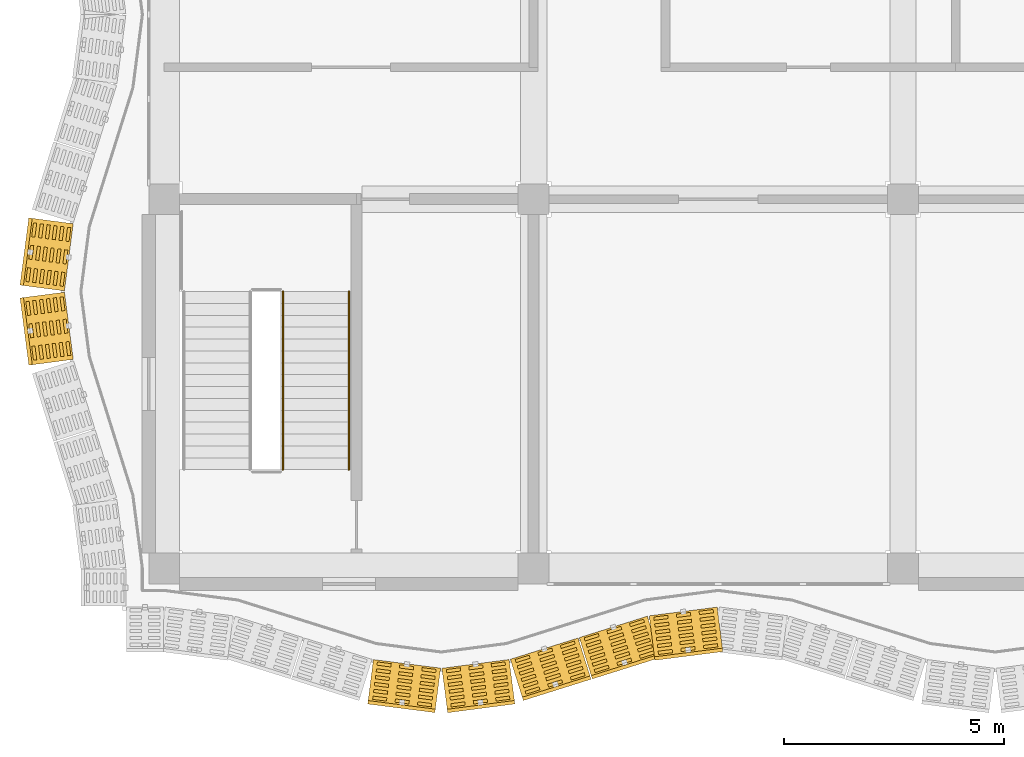
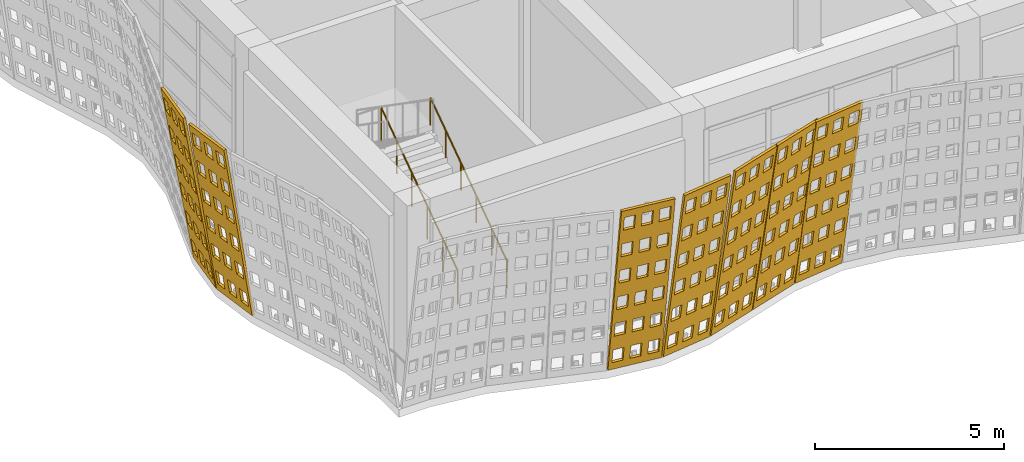
# One storey, part 149 of 210: 7 coverings, 2 railings.
"""IFC4 building model written with IfcOpenShell, lengths in metres."""

from ifc_helpers import new_model, si_unit, direction, frame, origin, origin_2d, place, context, subcontext, project, spatial, polyline, circle, outline, extrude, material, layer, layer_set, type_object, element, save


model = new_model("IFC4")

# Units and contexts
model_context = context("Model", 3, precision=1e-05, world=origin(), true_north=direction((0.0, 1.0)))
body_context = subcontext(model_context, "Body", "Model", "MODEL_VIEW")
ifc_project = project(units=[si_unit("LENGTHUNIT", "METRE"), si_unit("AREAUNIT", "SQUARE_METRE"), si_unit("VOLUMEUNIT", "CUBIC_METRE"), si_unit("PLANEANGLEUNIT", "RADIAN"), si_unit("MASSUNIT", "GRAM", prefix="KILO")], contexts=[model_context])

# Site, building, storey
site_placement = place(None, origin())
site = spatial("IfcSite", under=ifc_project, at=site_placement, CompositionType="ELEMENT")
building_placement = place(site_placement, origin())
building = spatial("IfcBuilding", under=site, at=building_placement, Name="Rain Tree Exposition and Congress Centre", CompositionType="ELEMENT")
storey_placement = place(building_placement, origin())
storey = spatial("IfcBuildingStorey", under=building, at=storey_placement, Name="L00", CompositionType="ELEMENT", Elevation=0.0)

# Coverings
ifc_material_1 = material(Name="Perforated terracotta", Category="masonry")
ifc_layer = layer(ifc_material_1, 0.080078125)
ifc_layer_set = layer_set([ifc_layer], Name="Perforated terracotta")
covering_type = type_object("IfcCoveringType", Name="Terracotta screen 80", PredefinedType="CLADDING", material=ifc_layer_set)
covering_1_placement = place(storey_placement, frame((4.72509765625, -2.14501953125, 0.0), z_axis=(0.125030801275, 0.978899688033, 0.161625182136), x_axis=(-0.991941518713, 0.126696580272, 0.0)))
element("IfcCovering", 1, at=covering_1_placement, inside=storey, type_object=covering_type, Name="wing/screen/L00/004", PredefinedType="CLADDING", context=body_context, shape_type="SweptSolid", body=[
    extrude(outline(polyline([(-1.56298828125, 0.0), (-1.56298828125, 5.813720703125), (-0.02197265625, 5.813720703125), (-0.02197265625, 0.0), (-1.56298828125, 0.0)]), holes=[polyline([(-0.11962890625, 0.25), (-0.11962890625, 0.718994140625), (-0.43798828125, 0.718994140625), (-0.43798828125, 0.25), (-0.11962890625, 0.25)]), polyline([(-0.11962890625, 1.218994140625), (-0.11962890625, 1.687744140625), (-0.43798828125, 1.687744140625), (-0.43798828125, 1.218994140625), (-0.11962890625, 1.218994140625)]), polyline([(-0.11962890625, 2.18798828125), (-0.11962890625, 2.65673828125), (-0.43798828125, 2.65673828125), (-0.43798828125, 2.18798828125), (-0.11962890625, 2.18798828125)]), polyline([(-0.11962890625, 3.15673828125), (-0.11962890625, 3.625732421875), (-0.43798828125, 3.625732421875), (-0.43798828125, 3.15673828125), (-0.11962890625, 3.15673828125)]), polyline([(-0.11962890625, 4.125732421875), (-0.11962890625, 4.594482421875), (-0.43798828125, 4.594482421875), (-0.43798828125, 4.125732421875), (-0.11962890625, 4.125732421875)]), polyline([(-0.11962890625, 5.0947265625), (-0.11962890625, 5.5634765625), (-0.43798828125, 5.5634765625), (-0.43798828125, 5.0947265625), (-0.11962890625, 5.0947265625)]), polyline([(-0.63330078125, 0.25), (-0.63330078125, 0.718994140625), (-0.95166015625, 0.718994140625), (-0.95166015625, 0.25), (-0.63330078125, 0.25)]), polyline([(-0.63330078125, 1.218994140625), (-0.63330078125, 1.687744140625), (-0.95166015625, 1.687744140625), (-0.95166015625, 1.218994140625), (-0.63330078125, 1.218994140625)]), polyline([(-0.63330078125, 2.18798828125), (-0.63330078125, 2.65673828125), (-0.95166015625, 2.65673828125), (-0.95166015625, 2.18798828125), (-0.63330078125, 2.18798828125)]), polyline([(-0.63330078125, 3.15673828125), (-0.63330078125, 3.625732421875), (-0.95166015625, 3.625732421875), (-0.95166015625, 3.15673828125), (-0.63330078125, 3.15673828125)]), polyline([(-0.63330078125, 4.125732421875), (-0.63330078125, 4.594482421875), (-0.95166015625, 4.594482421875), (-0.95166015625, 4.125732421875), (-0.63330078125, 4.125732421875)]), polyline([(-0.63330078125, 5.0947265625), (-0.63330078125, 5.5634765625), (-0.95166015625, 5.5634765625), (-0.95166015625, 5.0947265625), (-0.63330078125, 5.0947265625)]), polyline([(-1.146728515625, 0.25), (-1.146728515625, 0.718994140625), (-1.46533203125, 0.718994140625), (-1.46533203125, 0.25), (-1.146728515625, 0.25)]), polyline([(-1.146728515625, 1.218994140625), (-1.146728515625, 1.687744140625), (-1.46533203125, 1.687744140625), (-1.46533203125, 1.218994140625), (-1.146728515625, 1.218994140625)]), polyline([(-1.146728515625, 2.18798828125), (-1.146728515625, 2.65673828125), (-1.46533203125, 2.65673828125), (-1.46533203125, 2.18798828125), (-1.146728515625, 2.18798828125)]), polyline([(-1.146728515625, 3.15673828125), (-1.146728515625, 3.625732421875), (-1.46533203125, 3.625732421875), (-1.46533203125, 3.15673828125), (-1.146728515625, 3.15673828125)]), polyline([(-1.146728515625, 4.125732421875), (-1.146728515625, 4.594482421875), (-1.46533203125, 4.594482421875), (-1.46533203125, 4.125732421875), (-1.146728515625, 4.125732421875)]), polyline([(-1.146728515625, 5.0947265625), (-1.146728515625, 5.5634765625), (-1.46533203125, 5.5634765625), (-1.46533203125, 5.0947265625), (-1.146728515625, 5.0947265625)])]), origin(), (0.0, 0.0, 1.0), 0.080078125),
])
covering_2_placement = place(storey_placement, frame((6.300048828125, -2.35009765625, 0.0), z_axis=(-0.1280309309, 0.978522114732, 0.161562841373), x_axis=(-0.991548658387, -0.129735338481, 0.0)))
element("IfcCovering", 2, at=covering_2_placement, inside=storey, type_object=covering_type, Name="wing/screen/L00/005", PredefinedType="CLADDING", context=body_context, shape_type="SweptSolid", body=[
    extrude(outline(polyline([(-1.56640625, 0.0), (-1.56640625, 5.813720703125), (-0.025390625, 5.813720703125), (-0.025390625, 0.0), (-1.56640625, 0.0)]), holes=[polyline([(-0.123046875, 0.25), (-0.123046875, 0.718994140625), (-0.44140625, 0.718994140625), (-0.44140625, 0.25), (-0.123046875, 0.25)]), polyline([(-0.123046875, 1.218994140625), (-0.123046875, 1.687744140625), (-0.44140625, 1.687744140625), (-0.44140625, 1.218994140625), (-0.123046875, 1.218994140625)]), polyline([(-0.123046875, 2.18798828125), (-0.123046875, 2.65673828125), (-0.44140625, 2.65673828125), (-0.44140625, 2.18798828125), (-0.123046875, 2.18798828125)]), polyline([(-0.123046875, 3.15673828125), (-0.123046875, 3.625732421875), (-0.44140625, 3.625732421875), (-0.44140625, 3.15673828125), (-0.123046875, 3.15673828125)]), polyline([(-0.123046875, 4.125732421875), (-0.123046875, 4.594482421875), (-0.44140625, 4.594482421875), (-0.44140625, 4.125732421875), (-0.123046875, 4.125732421875)]), polyline([(-0.123046875, 5.0947265625), (-0.123046875, 5.5634765625), (-0.44140625, 5.5634765625), (-0.44140625, 5.0947265625), (-0.123046875, 5.0947265625)]), polyline([(-0.63671875, 0.25), (-0.63671875, 0.718994140625), (-0.955078125, 0.718994140625), (-0.955078125, 0.25), (-0.63671875, 0.25)]), polyline([(-0.63671875, 1.218994140625), (-0.63671875, 1.687744140625), (-0.955078125, 1.687744140625), (-0.955078125, 1.218994140625), (-0.63671875, 1.218994140625)]), polyline([(-0.63671875, 2.18798828125), (-0.63671875, 2.65673828125), (-0.955078125, 2.65673828125), (-0.955078125, 2.18798828125), (-0.63671875, 2.18798828125)]), polyline([(-0.63671875, 3.15673828125), (-0.63671875, 3.625732421875), (-0.955078125, 3.625732421875), (-0.955078125, 3.15673828125), (-0.63671875, 3.15673828125)]), polyline([(-0.63671875, 4.125732421875), (-0.63671875, 4.594482421875), (-0.955078125, 4.594482421875), (-0.955078125, 4.125732421875), (-0.63671875, 4.125732421875)]), polyline([(-0.63671875, 5.0947265625), (-0.63671875, 5.5634765625), (-0.955078125, 5.5634765625), (-0.955078125, 5.0947265625), (-0.63671875, 5.0947265625)]), polyline([(-1.150146484375, 0.25), (-1.150146484375, 0.718994140625), (-1.46875, 0.718994140625), (-1.46875, 0.25), (-1.150146484375, 0.25)]), polyline([(-1.150146484375, 1.218994140625), (-1.150146484375, 1.687744140625), (-1.46875, 1.687744140625), (-1.46875, 1.218994140625), (-1.150146484375, 1.218994140625)]), polyline([(-1.150146484375, 2.18798828125), (-1.150146484375, 2.65673828125), (-1.46875, 2.65673828125), (-1.46875, 2.18798828125), (-1.150146484375, 2.18798828125)]), polyline([(-1.150146484375, 3.15673828125), (-1.150146484375, 3.625732421875), (-1.46875, 3.625732421875), (-1.46875, 3.15673828125), (-1.150146484375, 3.15673828125)]), polyline([(-1.150146484375, 4.125732421875), (-1.150146484375, 4.594482421875), (-1.46875, 4.594482421875), (-1.46875, 4.125732421875), (-1.150146484375, 4.125732421875)]), polyline([(-1.150146484375, 5.0947265625), (-1.150146484375, 5.5634765625), (-1.46875, 5.5634765625), (-1.46875, 5.0947265625), (-1.150146484375, 5.0947265625)])]), origin(), (0.0, 0.0, 1.0), 0.080078125),
])
covering_3_placement = place(storey_placement, frame((7.875, -2.14501953125, 0.0), z_axis=(-0.295859611525, 0.942480618158, 0.155555053482), x_axis=(-0.954094597562, -0.29950542383, 0.0)))
element("IfcCovering", 3, at=covering_3_placement, inside=storey, type_object=covering_type, Name="wing/screen/L00/006", PredefinedType="CLADDING", context=body_context, shape_type="SweptSolid", body=[
    extrude(outline(polyline([(-1.635986328125, 0.0), (-1.635986328125, 5.808349609375), (-0.02197265625, 5.808349609375), (-0.02197265625, 0.0), (-1.635986328125, 0.0)]), holes=[polyline([(-0.124267578125, 0.249755859375), (-0.124267578125, 0.71826171875), (-0.457763671875, 0.71826171875), (-0.457763671875, 0.249755859375), (-0.124267578125, 0.249755859375)]), polyline([(-0.124267578125, 1.218017578125), (-0.124267578125, 1.686279296875), (-0.457763671875, 1.686279296875), (-0.457763671875, 1.218017578125), (-0.124267578125, 1.218017578125)]), polyline([(-0.124267578125, 2.18603515625), (-0.124267578125, 2.654296875), (-0.457763671875, 2.654296875), (-0.457763671875, 2.18603515625), (-0.124267578125, 2.18603515625)]), polyline([(-0.124267578125, 3.154052734375), (-0.124267578125, 3.62255859375), (-0.457763671875, 3.62255859375), (-0.457763671875, 3.154052734375), (-0.124267578125, 3.154052734375)]), polyline([(-0.124267578125, 4.1220703125), (-0.124267578125, 4.590576171875), (-0.457763671875, 4.590576171875), (-0.457763671875, 4.1220703125), (-0.124267578125, 4.1220703125)]), polyline([(-0.124267578125, 5.090087890625), (-0.124267578125, 5.55859375), (-0.457763671875, 5.55859375), (-0.457763671875, 5.090087890625), (-0.124267578125, 5.090087890625)]), polyline([(-0.662109375, 0.249755859375), (-0.662109375, 0.71826171875), (-0.995849609375, 0.71826171875), (-0.995849609375, 0.249755859375), (-0.662109375, 0.249755859375)]), polyline([(-0.662109375, 1.218017578125), (-0.662109375, 1.686279296875), (-0.995849609375, 1.686279296875), (-0.995849609375, 1.218017578125), (-0.662109375, 1.218017578125)]), polyline([(-0.662109375, 2.18603515625), (-0.662109375, 2.654296875), (-0.995849609375, 2.654296875), (-0.995849609375, 2.18603515625), (-0.662109375, 2.18603515625)]), polyline([(-0.662109375, 3.154052734375), (-0.662109375, 3.62255859375), (-0.995849609375, 3.62255859375), (-0.995849609375, 3.154052734375), (-0.662109375, 3.154052734375)]), polyline([(-0.662109375, 4.1220703125), (-0.662109375, 4.590576171875), (-0.995849609375, 4.590576171875), (-0.995849609375, 4.1220703125), (-0.662109375, 4.1220703125)]), polyline([(-0.662109375, 5.090087890625), (-0.662109375, 5.55859375), (-0.995849609375, 5.55859375), (-0.995849609375, 5.090087890625), (-0.662109375, 5.090087890625)]), polyline([(-1.2001953125, 0.249755859375), (-1.2001953125, 0.71826171875), (-1.53369140625, 0.71826171875), (-1.53369140625, 0.249755859375), (-1.2001953125, 0.249755859375)]), polyline([(-1.2001953125, 1.218017578125), (-1.2001953125, 1.686279296875), (-1.53369140625, 1.686279296875), (-1.53369140625, 1.218017578125), (-1.2001953125, 1.218017578125)]), polyline([(-1.2001953125, 2.18603515625), (-1.2001953125, 2.654296875), (-1.53369140625, 2.654296875), (-1.53369140625, 2.18603515625), (-1.2001953125, 2.18603515625)]), polyline([(-1.2001953125, 3.154052734375), (-1.2001953125, 3.62255859375), (-1.53369140625, 3.62255859375), (-1.53369140625, 3.154052734375), (-1.2001953125, 3.154052734375)]), polyline([(-1.2001953125, 4.1220703125), (-1.2001953125, 4.590576171875), (-1.53369140625, 4.590576171875), (-1.53369140625, 4.1220703125), (-1.2001953125, 4.1220703125)]), polyline([(-1.2001953125, 5.090087890625), (-1.2001953125, 5.55859375), (-1.53369140625, 5.55859375), (-1.53369140625, 5.090087890625), (-1.2001953125, 5.090087890625)])]), origin(), (0.0, 0.0, 1.0), 0.080078125),
])
covering_4_placement = place(storey_placement, frame((9.449951171875, -1.64990234375, 0.0), z_axis=(-0.296712403937, 0.94213835477, 0.156003428874), x_axis=(-0.953816392794, -0.300390227601, 0.0)))
element("IfcCovering", 4, at=covering_4_placement, inside=storey, type_object=covering_type, Name="wing/screen/L00/007", PredefinedType="CLADDING", context=body_context, shape_type="SweptSolid", body=[
    extrude(outline(polyline([(-1.635986328125, 0.0), (-1.635986328125, 5.808349609375), (-0.014892578125, 5.808349609375), (-0.014892578125, 0.0), (-1.635986328125, 0.0)]), holes=[polyline([(-0.11767578125, 0.249755859375), (-0.11767578125, 0.71826171875), (-0.45263671875, 0.71826171875), (-0.45263671875, 0.249755859375), (-0.11767578125, 0.249755859375)]), polyline([(-0.11767578125, 1.218017578125), (-0.11767578125, 1.686279296875), (-0.45263671875, 1.686279296875), (-0.45263671875, 1.218017578125), (-0.11767578125, 1.218017578125)]), polyline([(-0.11767578125, 2.18603515625), (-0.11767578125, 2.654296875), (-0.45263671875, 2.654296875), (-0.45263671875, 2.18603515625), (-0.11767578125, 2.18603515625)]), polyline([(-0.11767578125, 3.154052734375), (-0.11767578125, 3.62255859375), (-0.45263671875, 3.62255859375), (-0.45263671875, 3.154052734375), (-0.11767578125, 3.154052734375)]), polyline([(-0.11767578125, 4.1220703125), (-0.11767578125, 4.590576171875), (-0.45263671875, 4.590576171875), (-0.45263671875, 4.1220703125), (-0.11767578125, 4.1220703125)]), polyline([(-0.11767578125, 5.090087890625), (-0.11767578125, 5.55859375), (-0.45263671875, 5.55859375), (-0.45263671875, 5.090087890625), (-0.11767578125, 5.090087890625)]), polyline([(-0.657958984375, 0.249755859375), (-0.657958984375, 0.71826171875), (-0.992919921875, 0.71826171875), (-0.992919921875, 0.249755859375), (-0.657958984375, 0.249755859375)]), polyline([(-0.657958984375, 1.218017578125), (-0.657958984375, 1.686279296875), (-0.992919921875, 1.686279296875), (-0.992919921875, 1.218017578125), (-0.657958984375, 1.218017578125)]), polyline([(-0.657958984375, 2.18603515625), (-0.657958984375, 2.654296875), (-0.992919921875, 2.654296875), (-0.992919921875, 2.18603515625), (-0.657958984375, 2.18603515625)]), polyline([(-0.657958984375, 3.154052734375), (-0.657958984375, 3.62255859375), (-0.992919921875, 3.62255859375), (-0.992919921875, 3.154052734375), (-0.657958984375, 3.154052734375)]), polyline([(-0.657958984375, 4.1220703125), (-0.657958984375, 4.590576171875), (-0.992919921875, 4.590576171875), (-0.992919921875, 4.1220703125), (-0.657958984375, 4.1220703125)]), polyline([(-0.657958984375, 5.090087890625), (-0.657958984375, 5.55859375), (-0.992919921875, 5.55859375), (-0.992919921875, 5.090087890625), (-0.657958984375, 5.090087890625)]), polyline([(-1.1982421875, 0.249755859375), (-1.1982421875, 0.71826171875), (-1.533203125, 0.71826171875), (-1.533203125, 0.249755859375), (-1.1982421875, 0.249755859375)]), polyline([(-1.1982421875, 1.218017578125), (-1.1982421875, 1.686279296875), (-1.533203125, 1.686279296875), (-1.533203125, 1.218017578125), (-1.1982421875, 1.218017578125)]), polyline([(-1.1982421875, 2.18603515625), (-1.1982421875, 2.654296875), (-1.533203125, 2.654296875), (-1.533203125, 2.18603515625), (-1.1982421875, 2.18603515625)]), polyline([(-1.1982421875, 3.154052734375), (-1.1982421875, 3.62255859375), (-1.533203125, 3.62255859375), (-1.533203125, 3.154052734375), (-1.1982421875, 3.154052734375)]), polyline([(-1.1982421875, 4.1220703125), (-1.1982421875, 4.590576171875), (-1.533203125, 4.590576171875), (-1.533203125, 4.1220703125), (-1.1982421875, 4.1220703125)]), polyline([(-1.1982421875, 5.090087890625), (-1.1982421875, 5.55859375), (-1.533203125, 5.55859375), (-1.533203125, 5.090087890625), (-1.1982421875, 5.090087890625)])]), origin(), (0.0, 0.0, 1.0), 0.079833984375),
])
covering_5_placement = place(storey_placement, frame((11.02490234375, -1.155029296875, 0.0), z_axis=(-0.125030801275, 0.978899688033, 0.161625182136), x_axis=(-0.991941518713, -0.126696580272, 0.0)))
element("IfcCovering", 5, at=covering_5_placement, inside=storey, type_object=covering_type, Name="wing/screen/L00/008", PredefinedType="CLADDING", context=body_context, shape_type="SweptSolid", body=[
    extrude(outline(polyline([(-1.5732421875, 0.0), (-1.5732421875, 5.813720703125), (-0.014892578125, 5.813720703125), (-0.014892578125, 0.0), (-1.5732421875, 0.0)]), holes=[polyline([(-0.11376953125, 0.25), (-0.11376953125, 0.718994140625), (-0.435791015625, 0.718994140625), (-0.435791015625, 0.25), (-0.11376953125, 0.25)]), polyline([(-0.11376953125, 1.218994140625), (-0.11376953125, 1.687744140625), (-0.435791015625, 1.687744140625), (-0.435791015625, 1.218994140625), (-0.11376953125, 1.218994140625)]), polyline([(-0.11376953125, 2.18798828125), (-0.11376953125, 2.65673828125), (-0.435791015625, 2.65673828125), (-0.435791015625, 2.18798828125), (-0.11376953125, 2.18798828125)]), polyline([(-0.11376953125, 3.15673828125), (-0.11376953125, 3.625732421875), (-0.435791015625, 3.625732421875), (-0.435791015625, 3.15673828125), (-0.11376953125, 3.15673828125)]), polyline([(-0.11376953125, 4.125732421875), (-0.11376953125, 4.594482421875), (-0.435791015625, 4.594482421875), (-0.435791015625, 4.125732421875), (-0.11376953125, 4.125732421875)]), polyline([(-0.11376953125, 5.0947265625), (-0.11376953125, 5.5634765625), (-0.435791015625, 5.5634765625), (-0.435791015625, 5.0947265625), (-0.11376953125, 5.0947265625)]), polyline([(-0.633056640625, 0.25), (-0.633056640625, 0.718994140625), (-0.955078125, 0.718994140625), (-0.955078125, 0.25), (-0.633056640625, 0.25)]), polyline([(-0.633056640625, 1.218994140625), (-0.633056640625, 1.687744140625), (-0.955078125, 1.687744140625), (-0.955078125, 1.218994140625), (-0.633056640625, 1.218994140625)]), polyline([(-0.633056640625, 2.18798828125), (-0.633056640625, 2.65673828125), (-0.955078125, 2.65673828125), (-0.955078125, 2.18798828125), (-0.633056640625, 2.18798828125)]), polyline([(-0.633056640625, 3.15673828125), (-0.633056640625, 3.625732421875), (-0.955078125, 3.625732421875), (-0.955078125, 3.15673828125), (-0.633056640625, 3.15673828125)]), polyline([(-0.633056640625, 4.125732421875), (-0.633056640625, 4.594482421875), (-0.955078125, 4.594482421875), (-0.955078125, 4.125732421875), (-0.633056640625, 4.125732421875)]), polyline([(-0.633056640625, 5.0947265625), (-0.633056640625, 5.5634765625), (-0.955078125, 5.5634765625), (-0.955078125, 5.0947265625), (-0.633056640625, 5.0947265625)]), polyline([(-1.152587890625, 0.25), (-1.152587890625, 0.718994140625), (-1.474609375, 0.718994140625), (-1.474609375, 0.25), (-1.152587890625, 0.25)]), polyline([(-1.152587890625, 1.218994140625), (-1.152587890625, 1.687744140625), (-1.474609375, 1.687744140625), (-1.474609375, 1.218994140625), (-1.152587890625, 1.218994140625)]), polyline([(-1.152587890625, 2.18798828125), (-1.152587890625, 2.65673828125), (-1.474609375, 2.65673828125), (-1.474609375, 2.18798828125), (-1.152587890625, 2.18798828125)]), polyline([(-1.152587890625, 3.15673828125), (-1.152587890625, 3.625732421875), (-1.474609375, 3.625732421875), (-1.474609375, 3.15673828125), (-1.152587890625, 3.15673828125)]), polyline([(-1.152587890625, 4.125732421875), (-1.152587890625, 4.594482421875), (-1.474609375, 4.594482421875), (-1.474609375, 4.125732421875), (-1.152587890625, 4.125732421875)]), polyline([(-1.152587890625, 5.0947265625), (-1.152587890625, 5.5634765625), (-1.474609375, 5.5634765625), (-1.474609375, 5.0947265625), (-1.152587890625, 5.0947265625)])]), origin(), (0.0, 0.0, 1.0), 0.080078125),
])
covering_6_placement = place(storey_placement, frame((-2.14501953125, 7.875, 0.0), z_axis=(0.978522114732, -0.1280309309, 0.161562841373), x_axis=(0.129735338481, 0.991548658387, 0.0)))
element("IfcCovering", 6, at=covering_6_placement, inside=storey, type_object=covering_type, Name="wing/screen/L00/130", PredefinedType="CLADDING", context=body_context, shape_type="SweptSolid", body=[
    extrude(outline(polyline([(-1.56298828125, 0.0), (-1.56298828125, 5.813720703125), (-0.02197265625, 5.813720703125), (-0.02197265625, 0.0), (-1.56298828125, 0.0)]), holes=[polyline([(-0.11962890625, 0.25), (-0.11962890625, 0.718994140625), (-0.43798828125, 0.718994140625), (-0.43798828125, 0.25), (-0.11962890625, 0.25)]), polyline([(-0.11962890625, 1.218994140625), (-0.11962890625, 1.687744140625), (-0.43798828125, 1.687744140625), (-0.43798828125, 1.218994140625), (-0.11962890625, 1.218994140625)]), polyline([(-0.11962890625, 2.18798828125), (-0.11962890625, 2.65673828125), (-0.43798828125, 2.65673828125), (-0.43798828125, 2.18798828125), (-0.11962890625, 2.18798828125)]), polyline([(-0.11962890625, 3.15673828125), (-0.11962890625, 3.625732421875), (-0.43798828125, 3.625732421875), (-0.43798828125, 3.15673828125), (-0.11962890625, 3.15673828125)]), polyline([(-0.11962890625, 4.125732421875), (-0.11962890625, 4.594482421875), (-0.43798828125, 4.594482421875), (-0.43798828125, 4.125732421875), (-0.11962890625, 4.125732421875)]), polyline([(-0.11962890625, 5.0947265625), (-0.11962890625, 5.5634765625), (-0.43798828125, 5.5634765625), (-0.43798828125, 5.0947265625), (-0.11962890625, 5.0947265625)]), polyline([(-0.63330078125, 0.25), (-0.63330078125, 0.718994140625), (-0.95166015625, 0.718994140625), (-0.95166015625, 0.25), (-0.63330078125, 0.25)]), polyline([(-0.63330078125, 1.218994140625), (-0.63330078125, 1.687744140625), (-0.95166015625, 1.687744140625), (-0.95166015625, 1.218994140625), (-0.63330078125, 1.218994140625)]), polyline([(-0.63330078125, 2.18798828125), (-0.63330078125, 2.65673828125), (-0.95166015625, 2.65673828125), (-0.95166015625, 2.18798828125), (-0.63330078125, 2.18798828125)]), polyline([(-0.63330078125, 3.15673828125), (-0.63330078125, 3.625732421875), (-0.95166015625, 3.625732421875), (-0.95166015625, 3.15673828125), (-0.63330078125, 3.15673828125)]), polyline([(-0.63330078125, 4.125732421875), (-0.63330078125, 4.594482421875), (-0.95166015625, 4.594482421875), (-0.95166015625, 4.125732421875), (-0.63330078125, 4.125732421875)]), polyline([(-0.63330078125, 5.0947265625), (-0.63330078125, 5.5634765625), (-0.95166015625, 5.5634765625), (-0.95166015625, 5.0947265625), (-0.63330078125, 5.0947265625)]), polyline([(-1.146728515625, 0.25), (-1.146728515625, 0.718994140625), (-1.46533203125, 0.718994140625), (-1.46533203125, 0.25), (-1.146728515625, 0.25)]), polyline([(-1.146728515625, 1.218994140625), (-1.146728515625, 1.687744140625), (-1.46533203125, 1.687744140625), (-1.46533203125, 1.218994140625), (-1.146728515625, 1.218994140625)]), polyline([(-1.146728515625, 2.18798828125), (-1.146728515625, 2.65673828125), (-1.46533203125, 2.65673828125), (-1.46533203125, 2.18798828125), (-1.146728515625, 2.18798828125)]), polyline([(-1.146728515625, 3.15673828125), (-1.146728515625, 3.625732421875), (-1.46533203125, 3.625732421875), (-1.46533203125, 3.15673828125), (-1.146728515625, 3.15673828125)]), polyline([(-1.146728515625, 4.125732421875), (-1.146728515625, 4.594482421875), (-1.46533203125, 4.594482421875), (-1.46533203125, 4.125732421875), (-1.146728515625, 4.125732421875)]), polyline([(-1.146728515625, 5.0947265625), (-1.146728515625, 5.5634765625), (-1.46533203125, 5.5634765625), (-1.46533203125, 5.0947265625), (-1.146728515625, 5.0947265625)])]), origin(), (0.0, 0.0, 1.0), 0.080078125),
])
covering_7_placement = place(storey_placement, frame((-2.35009765625, 6.300048828125, 0.0), z_axis=(0.978522114732, 0.1280309309, 0.161562841373), x_axis=(-0.129735338481, 0.991548658387, 0.0)))
element("IfcCovering", 7, at=covering_7_placement, inside=storey, type_object=covering_type, Name="wing/screen/L00/131", PredefinedType="CLADDING", context=body_context, shape_type="SweptSolid", body=[
    extrude(outline(polyline([(-1.56640625, 0.0), (-1.56640625, 5.813720703125), (-0.025390625, 5.813720703125), (-0.025390625, 0.0), (-1.56640625, 0.0)]), holes=[polyline([(-0.123046875, 0.25), (-0.123046875, 0.718994140625), (-0.44140625, 0.718994140625), (-0.44140625, 0.25), (-0.123046875, 0.25)]), polyline([(-0.123046875, 1.218994140625), (-0.123046875, 1.687744140625), (-0.44140625, 1.687744140625), (-0.44140625, 1.218994140625), (-0.123046875, 1.218994140625)]), polyline([(-0.123046875, 2.18798828125), (-0.123046875, 2.65673828125), (-0.44140625, 2.65673828125), (-0.44140625, 2.18798828125), (-0.123046875, 2.18798828125)]), polyline([(-0.123046875, 3.15673828125), (-0.123046875, 3.625732421875), (-0.44140625, 3.625732421875), (-0.44140625, 3.15673828125), (-0.123046875, 3.15673828125)]), polyline([(-0.123046875, 4.125732421875), (-0.123046875, 4.594482421875), (-0.44140625, 4.594482421875), (-0.44140625, 4.125732421875), (-0.123046875, 4.125732421875)]), polyline([(-0.123046875, 5.0947265625), (-0.123046875, 5.5634765625), (-0.44140625, 5.5634765625), (-0.44140625, 5.0947265625), (-0.123046875, 5.0947265625)]), polyline([(-0.63671875, 0.25), (-0.63671875, 0.718994140625), (-0.955078125, 0.718994140625), (-0.955078125, 0.25), (-0.63671875, 0.25)]), polyline([(-0.63671875, 1.218994140625), (-0.63671875, 1.687744140625), (-0.955078125, 1.687744140625), (-0.955078125, 1.218994140625), (-0.63671875, 1.218994140625)]), polyline([(-0.63671875, 2.18798828125), (-0.63671875, 2.65673828125), (-0.955078125, 2.65673828125), (-0.955078125, 2.18798828125), (-0.63671875, 2.18798828125)]), polyline([(-0.63671875, 3.15673828125), (-0.63671875, 3.625732421875), (-0.955078125, 3.625732421875), (-0.955078125, 3.15673828125), (-0.63671875, 3.15673828125)]), polyline([(-0.63671875, 4.125732421875), (-0.63671875, 4.594482421875), (-0.955078125, 4.594482421875), (-0.955078125, 4.125732421875), (-0.63671875, 4.125732421875)]), polyline([(-0.63671875, 5.0947265625), (-0.63671875, 5.5634765625), (-0.955078125, 5.5634765625), (-0.955078125, 5.0947265625), (-0.63671875, 5.0947265625)]), polyline([(-1.150146484375, 0.25), (-1.150146484375, 0.718994140625), (-1.46875, 0.718994140625), (-1.46875, 0.25), (-1.150146484375, 0.25)]), polyline([(-1.150146484375, 1.218994140625), (-1.150146484375, 1.687744140625), (-1.46875, 1.687744140625), (-1.46875, 1.218994140625), (-1.150146484375, 1.218994140625)]), polyline([(-1.150146484375, 2.18798828125), (-1.150146484375, 2.65673828125), (-1.46875, 2.65673828125), (-1.46875, 2.18798828125), (-1.150146484375, 2.18798828125)]), polyline([(-1.150146484375, 3.15673828125), (-1.150146484375, 3.625732421875), (-1.46875, 3.625732421875), (-1.46875, 3.15673828125), (-1.150146484375, 3.15673828125)]), polyline([(-1.150146484375, 4.125732421875), (-1.150146484375, 4.594482421875), (-1.46875, 4.594482421875), (-1.46875, 4.125732421875), (-1.150146484375, 4.125732421875)]), polyline([(-1.150146484375, 5.0947265625), (-1.150146484375, 5.5634765625), (-1.46875, 5.5634765625), (-1.46875, 5.0947265625), (-1.150146484375, 5.0947265625)])]), origin(), (0.0, 0.0, 1.0), 0.080078125),
])

# Railings
ifc_material_2 = material(Name="Steel S355J2H", Category="steel")
railing_type_1 = type_object("IfcRailingType", Name="Wing stair guard 1100", PredefinedType="GUARDRAIL", material=ifc_material_2)
railing_1_placement = place(storey_placement, frame((2.699951171875, 2.25, 0.1875)))
element("IfcRailing", 8, at=railing_1_placement, inside=storey, type_object=railing_type_1, Name="L00 ST-W1 stair guard 1", PredefinedType="GUARDRAIL", context=body_context, shape_type="SweptSolid", body=[
    extrude(circle(Radius=0.02392578125, at=origin_2d()), frame((0.0, 0.0, 1.076171875), z_axis=(0.0, 0.821373187493, 0.570391170047), x_axis=(-1.0, 0.0, 0.0)), (0.0, 0.0, 1.0), 4.930908203125),
    extrude(circle(Radius=0.02099609375, at=origin_2d()), origin(), (0.0, 0.0, 1.0), 1.052001953125),
    extrude(circle(Radius=0.02099609375, at=origin_2d()), frame((0.0, 0.81005859375, 0.5625)), (0.0, 0.0, 1.0), 1.052001953125),
    extrude(circle(Radius=0.02099609375, at=origin_2d()), frame((0.0, 1.6201171875, 1.125)), (0.0, 0.0, 1.0), 1.052001953125),
    extrude(circle(Radius=0.02099609375, at=origin_2d()), frame((0.0, 2.429931640625, 1.6875)), (0.0, 0.0, 1.0), 1.052001953125),
    extrude(circle(Radius=0.02099609375, at=origin_2d()), frame((0.0, 3.239990234375, 2.25)), (0.0, 0.0, 1.0), 1.052001953125),
    extrude(circle(Radius=0.02099609375, at=origin_2d()), frame((0.0, 4.050048828125, 2.8125)), (0.0, 0.0, 1.0), 1.052001953125),
])
ifc_material_3 = material(Name="Steel S355J2H", Category="steel")
railing_type_2 = type_object("IfcRailingType", Name="Wing stair handrail 900", PredefinedType="HANDRAIL", material=ifc_material_3)
railing_2_placement = place(storey_placement, frame((4.199951171875, 2.25, 0.1875)))
element("IfcRailing", 9, at=railing_2_placement, inside=storey, type_object=railing_type_2, Name="L00 ST-W1 stair handrail 1", PredefinedType="HANDRAIL", context=body_context, shape_type="SweptSolid", body=[
    extrude(circle(Radius=0.02392578125, at=origin_2d()), frame((0.0, 0.0, 0.8759765625), z_axis=(0.0, 0.821373187493, 0.570391170047), x_axis=(-1.0, 0.0, 0.0)), (0.0, 0.0, 1.0), 4.930908203125),
    extrude(circle(Radius=0.02099609375, at=origin_2d()), origin(), (0.0, 0.0, 1.0), 0.851806640625),
    extrude(circle(Radius=0.02099609375, at=origin_2d()), frame((0.0, 0.81005859375, 0.5625)), (0.0, 0.0, 1.0), 0.851806640625),
    extrude(circle(Radius=0.02099609375, at=origin_2d()), frame((0.0, 1.6201171875, 1.125)), (0.0, 0.0, 1.0), 0.851806640625),
    extrude(circle(Radius=0.02099609375, at=origin_2d()), frame((0.0, 2.429931640625, 1.6875)), (0.0, 0.0, 1.0), 0.851806640625),
    extrude(circle(Radius=0.02099609375, at=origin_2d()), frame((0.0, 3.239990234375, 2.25)), (0.0, 0.0, 1.0), 0.851806640625),
    extrude(circle(Radius=0.02099609375, at=origin_2d()), frame((0.0, 4.050048828125, 2.8125)), (0.0, 0.0, 1.0), 0.851806640625),
])

save(model, "model.ifc")
